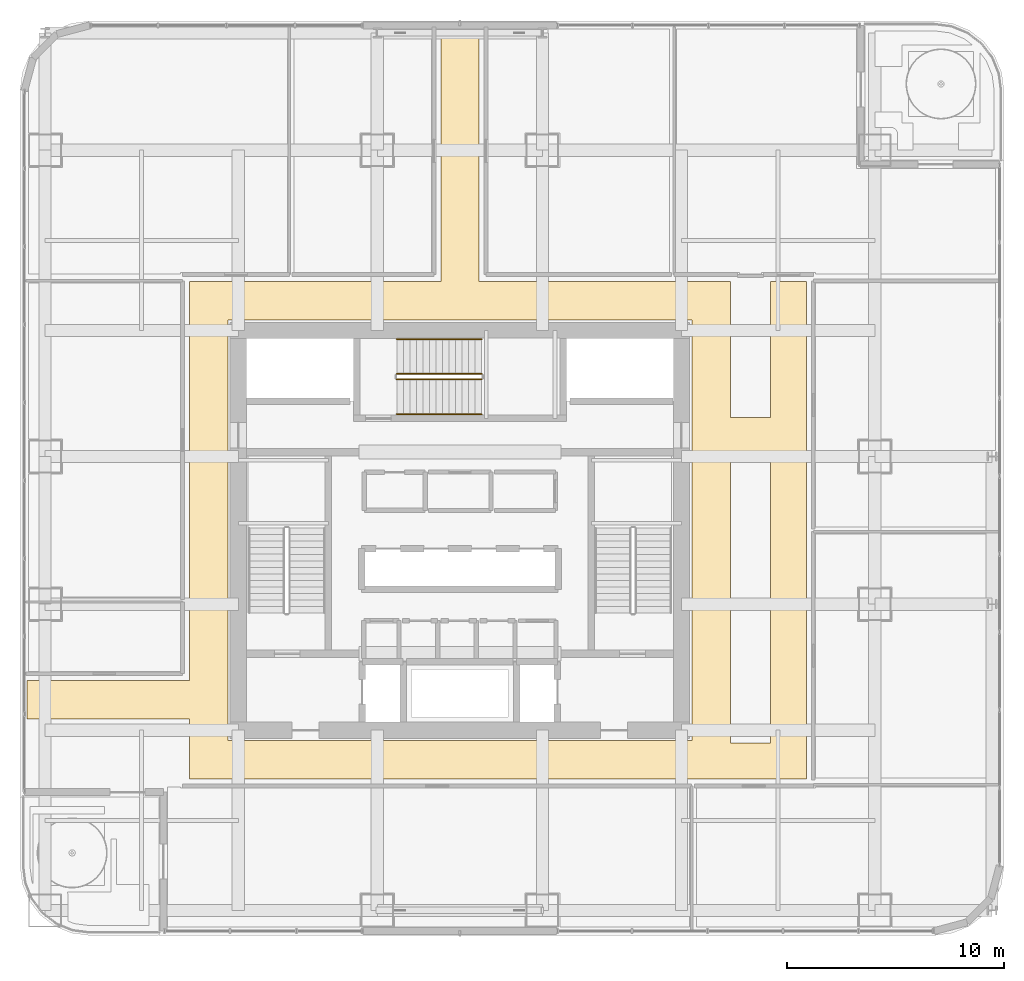
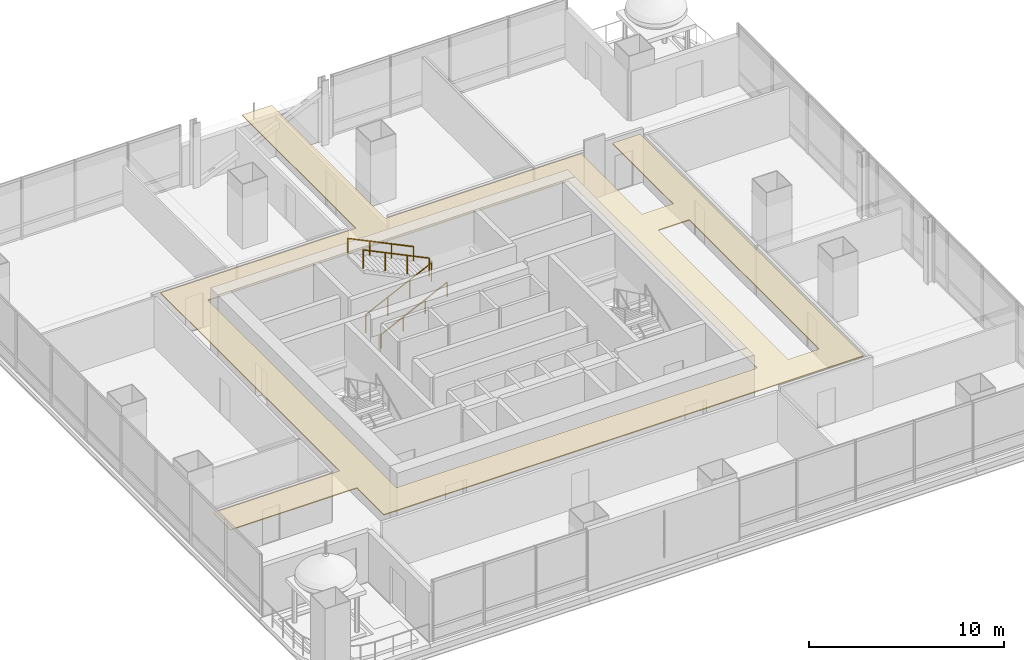
# One storey, part 33 of 37: 4 railings, 1 covering.
"""IFC4 building model written with IfcOpenShell, lengths in metres."""

import ifcopenshell
import ifcopenshell.guid

model = None  # the IFC model being written
_history = None  # IfcOwnerHistory: only IFC2X3 demands one
_inside = {}  # id of a spatial element -> (the spatial element, [elements in it])
_under = {}  # id of a project, library or spatial element -> (it, [spatial elements below it])
_declared = {}  # id of a project -> (the project, [libraries it declares])
_typed = {}  # id of a type object -> (the type object, [elements of that type])
_made_of = {}  # id of a material, layer set ... -> (it, [elements and type objects made of it])


def new_model(schema):
    """Start an empty IFC model of exactly this schema.

    Asked for "IFC4X3", IfcOpenShell would pick the latest addendum, in which some entities
    have other attributes; the version numbers below select the first issue.
    IFC2X3 requires an IfcOwnerHistory on every rooted entity: one is made here for all.
    """
    global model, _history
    if schema == "IFC4X3":
        model = ifcopenshell.file(schema_version=(4, 3, 0, 0))
    else:
        model = ifcopenshell.file(schema=schema)
    _inside.clear()
    _under.clear()
    _declared.clear()
    _typed.clear()
    _made_of.clear()
    _history = None
    if model.schema == "IFC2X3":
        org = make("IfcOrganization", Name="unknown")
        user = make(
            "IfcPersonAndOrganization",
            ThePerson=make("IfcPerson", FamilyName="unknown"),
            TheOrganization=org,
        )
        app = make(
            "IfcApplication",
            ApplicationDeveloper=org,
            Version="unknown",
            ApplicationFullName="unknown",
            ApplicationIdentifier="unknown",
        )
        _history = make(
            "IfcOwnerHistory",
            OwningUser=user,
            OwningApplication=app,
            ChangeAction="ADDED",
            CreationDate=0,
        )
    return model


def make(cls, **values):
    """One entity of the class cls with the attributes given. An attribute that is None is left unset."""
    return model.create_entity(
        cls, **{name: value for name, value in values.items() if value is not None}
    )


def rooted(cls, **values):
    """An entity with a GlobalId (a new one), such as an element, a storey or a relation."""
    return make(cls, GlobalId=ifcopenshell.guid.new(), OwnerHistory=_history, **values)


def si_unit(unit_type, name, prefix=None):
    """IfcSIUnit, for example si_unit("LENGTHUNIT", "METRE", prefix="MILLI")."""
    return make("IfcSIUnit", UnitType=unit_type, Prefix=prefix, Name=name)


def assignment(units):
    """IfcUnitAssignment: the units of a project."""
    return None if units is None else make("IfcUnitAssignment", Units=units)


def point(xyz):
    """IfcCartesianPoint."""
    return None if xyz is None else make("IfcCartesianPoint", Coordinates=xyz)


def direction(xyz):
    """IfcDirection."""
    return None if xyz is None else make("IfcDirection", DirectionRatios=xyz)


def frame(location, z_axis=None, x_axis=None):
    """IfcAxis2Placement3D, a coordinate frame: its origin and axes. An axis left out is left unset."""
    return make(
        "IfcAxis2Placement3D",
        Location=point(location),
        Axis=direction(z_axis),
        RefDirection=direction(x_axis),
    )


def frame_2d(location, x_axis=None):
    """IfcAxis2Placement2D, a coordinate frame in the plane: its origin and x axis."""
    return make(
        "IfcAxis2Placement2D", Location=point(location), RefDirection=direction(x_axis)
    )


def origin():
    """The frame at (0, 0, 0) with its axes left unset."""
    return frame((0.0, 0.0, 0.0))


def origin_2d():
    """The frame at (0, 0) in the plane with its x axis left unset."""
    return frame_2d((0.0, 0.0))


def place(relative_to, where):
    """IfcLocalPlacement: puts the frame where relative to a parent placement (None: the world)."""
    return make(
        "IfcLocalPlacement", PlacementRelTo=relative_to, RelativePlacement=where
    )


def context(
    kind, dimensions, precision=None, world=None, true_north=None, identifier=None
):
    """IfcGeometricRepresentationContext, for example the 3D "Model" context."""
    return make(
        "IfcGeometricRepresentationContext",
        ContextIdentifier=identifier,
        ContextType=kind,
        CoordinateSpaceDimension=dimensions,
        Precision=precision,
        WorldCoordinateSystem=world,
        TrueNorth=true_north,
    )


def subcontext(parent, identifier, kind, view, scale=None):
    """IfcGeometricRepresentationSubContext, for example "Body" below "Model"."""
    return make(
        "IfcGeometricRepresentationSubContext",
        ContextIdentifier=identifier,
        ContextType=kind,
        ParentContext=parent,
        TargetScale=scale,
        TargetView=view,
    )


def project(units=None, contexts=None):
    """IfcProject with its units and contexts."""
    return rooted(
        "IfcProject",
        Name="project",
        RepresentationContexts=contexts,
        UnitsInContext=assignment(units),
    )


def spatial(cls, under=None, at=None, **own):
    """A site, building, storey or space (cls), placed at a placement, below another one or the project."""
    s = rooted(cls, ObjectPlacement=at, **own)
    if under is not None:
        _under.setdefault(under.id(), (under, []))[1].append(s)
    return s


def polyline(points):
    """IfcPolyline through the points."""
    return make("IfcPolyline", Points=[point(p) for p in points])


def profile(cls, at=None, kind="AREA", **sizes):
    """A parametric profile (cls). Its sizes go by their IFC names, for example OverallWidth=200.0."""
    return make(cls, ProfileType=kind, Position=at, **sizes)


def circle(**sizes):
    """IfcCircleProfileDef."""
    return profile("IfcCircleProfileDef", **sizes)


def outline(outer, holes=None, kind="AREA"):
    """IfcArbitraryClosedProfileDef: a profile drawn as a closed curve; with holes, ...WithVoids."""
    if holes is None:
        return make("IfcArbitraryClosedProfileDef", ProfileType=kind, OuterCurve=outer)
    return make(
        "IfcArbitraryProfileDefWithVoids",
        ProfileType=kind,
        OuterCurve=outer,
        InnerCurves=holes,
    )


def extrude(swept, where, along, depth):
    """IfcExtrudedAreaSolid: the profile swept, set in the frame where, extruded along a direction by depth."""
    return make(
        "IfcExtrudedAreaSolid",
        SweptArea=swept,
        Position=where,
        ExtrudedDirection=direction(along),
        Depth=depth,
    )


def shape(context_of_items, identifier, shape_type, items):
    """IfcShapeRepresentation: the items that make up one representation, for example the "Body"."""
    return make(
        "IfcShapeRepresentation",
        ContextOfItems=context_of_items,
        RepresentationIdentifier=identifier,
        RepresentationType=shape_type,
        Items=items,
    )


def material(Name=None, Category=None):
    """IfcMaterial."""
    return make("IfcMaterial", Name=Name, Category=Category)


def layer(
    of_material, thickness, ventilated=None, Name=None, Category=None, Priority=None
):
    """IfcMaterialLayer: one layer of a wall or slab, of a material (None: an air gap)."""
    return make(
        "IfcMaterialLayer",
        Material=of_material,
        LayerThickness=thickness,
        IsVentilated=ventilated,
        Name=Name,
        Category=Category,
        Priority=Priority,
    )


def layer_set(layers, Name=None):
    """IfcMaterialLayerSet."""
    return make("IfcMaterialLayerSet", MaterialLayers=layers, LayerSetName=Name)


def made_of(thing, what):
    """Note that an element or type object is made of a material, layer set ...; save() writes the relation."""
    if what is not None:
        _made_of.setdefault(what.id(), (what, []))[1].append(thing)
    return thing


def type_object(cls, material=None, **own):
    """A type object (cls), such as IfcWallType, which elements share."""
    return made_of(rooted(cls, **own), material)


def element(
    cls,
    number,
    at=None,
    inside=None,
    cuts=None,
    type_object=None,
    material=None,
    context=None,
    identifier="Body",
    shape_type=None,
    held_by="IfcProductDefinitionShape",
    body=None,
    shapes=None,
    **own,
):
    """One element of the class cls, such as IfcWall. Its Tag is "e" and its number.

    at: its placement. inside: the storey or other place that contains it. cuts: it is an
    opening in that element (IfcRelVoidsElement). A single representation is given by context,
    identifier, shape_type and body (its items); several are given by shapes. held_by: the class
    of the entity that holds the representations. save() writes the other relations.
    """
    e = rooted(cls, Tag="e%d" % number, ObjectPlacement=at, **own)
    if body is not None:
        shapes = [shape(context, identifier, shape_type, body)]
    if shapes is not None:
        e.Representation = make(held_by, Representations=shapes)
    if inside is not None:
        _inside.setdefault(inside.id(), (inside, []))[1].append(e)
    if cuts is not None:
        rooted(
            "IfcRelVoidsElement", RelatingBuildingElement=cuts, RelatedOpeningElement=e
        )
    if type_object is not None:
        _typed.setdefault(type_object.id(), (type_object, []))[1].append(e)
    return made_of(e, material)


def aggregate(whole, parts):
    """IfcRelAggregates: a whole, such as a stair, and the parts it consists of."""
    return rooted("IfcRelAggregates", RelatingObject=whole, RelatedObjects=parts)


def save(model, path):
    """Write the relations noted so far, then the file.

    IfcRelAggregates (storeys below a building ...), IfcRelContainedInSpatialStructure (elements
    in a storey), IfcRelDefinesByType, IfcRelAssociatesMaterial and IfcRelDeclares: one each for
    every whole, place, type object, material and project.
    """
    for whole, parts in _under.values():
        aggregate(whole, parts)
    for where, things in _inside.values():
        rooted(
            "IfcRelContainedInSpatialStructure",
            RelatedElements=things,
            RelatingStructure=where,
        )
    for kind, things in _typed.values():
        rooted("IfcRelDefinesByType", RelatedObjects=things, RelatingType=kind)
    for what, things in _made_of.values():
        rooted("IfcRelAssociatesMaterial", RelatedObjects=things, RelatingMaterial=what)
    for by, libraries in _declared.values():
        rooted("IfcRelDeclares", RelatingContext=by, RelatedDefinitions=libraries)
    model.write(path)


model = new_model("IFC4")

# Units and contexts
model_context = context("Model", 3, precision=1e-05, world=origin(), true_north=direction((0.0, 1.0)))
body_context = subcontext(model_context, "Body", "Model", "MODEL_VIEW")
ifc_project = project(units=[si_unit("LENGTHUNIT", "METRE"), si_unit("AREAUNIT", "SQUARE_METRE"), si_unit("VOLUMEUNIT", "CUBIC_METRE"), si_unit("PLANEANGLEUNIT", "RADIAN"), si_unit("MASSUNIT", "GRAM", prefix="KILO")], contexts=[model_context])

# Site, building, storey
site_placement = place(None, origin())
site = spatial("IfcSite", under=ifc_project, at=site_placement, CompositionType="ELEMENT")
building_placement = place(site_placement, origin())
building = spatial("IfcBuilding", under=site, at=building_placement, Name="Punatoya Terracotta Tower", CompositionType="ELEMENT")
storey_placement = place(building_placement, frame((0.0, 0.0, 109.199951171875)))
storey = spatial("IfcBuildingStorey", under=building, at=storey_placement, Name="L25", CompositionType="ELEMENT", Elevation=109.199951171875)

# Covering
ifc_material_1 = material(Name="Acoustic Mineral Fibre Ceiling")
ifc_layer = layer(ifc_material_1, 0.06005859375)
ifc_layer_set = layer_set([ifc_layer], Name="Acoustic Mineral Fibre Ceiling")
covering_type = type_object("IfcCoveringType", Name="COV-CEIL-60", PredefinedType="CEILING", material=ifc_layer_set)
covering_placement = place(storey_placement, frame((0.0, 0.0, 3.199951171875)))
element("IfcCovering", 1, at=covering_placement, inside=storey, type_object=covering_type, Name="L25 Ring Circulation Corridor Acoustic Ceiling", PredefinedType="CEILING", context=body_context, shape_type="SweptSolid", body=[
    extrude(outline(polyline([(-19.929931640625, -8.679931640625), (-12.449951171875, -8.679931640625), (-12.449951171875, -11.449951171875), (15.949951171875, -11.449951171875), (15.949951171875, 11.449951171875), (14.300048828125, 11.449951171875), (14.300048828125, 5.199951171875), (12.449951171875, 5.199951171875), (12.449951171875, 11.449951171875), (0.8798828125, 11.449951171875), (0.8798828125, 23.1298828125), (-0.8798828125, 23.1298828125), (-0.8798828125, 11.449951171875), (-12.449951171875, 11.449951171875), (-12.449951171875, -6.919921875), (-19.929931640625, -6.919921875), (-19.929931640625, -8.679931640625)]), holes=[polyline([(12.449951171875, 3.550048828125), (14.300048828125, 3.550048828125), (14.300048828125, -9.800048828125), (12.449951171875, -9.800048828125), (12.449951171875, 3.550048828125)]), polyline([(-10.679931640625, -9.679931640625), (-10.679931640625, 9.679931640625), (10.679931640625, 9.679931640625), (10.679931640625, -9.679931640625), (-10.679931640625, -9.679931640625)])]), origin(), (0.0, 0.0, 1.0), 0.06005859375),
])

# Railings
ifc_material_2 = material(Name="Steel S355", Category="steel")
railing_type_1 = type_object("IfcRailingType", Name="RLG-GRD-1150", PredefinedType="GUARDRAIL", material=ifc_material_2)
railing_1_placement = place(storey_placement, frame((-2.89990234375, 6.949951171875, 0.144775390625)))
element("IfcRailing", 2, at=railing_1_placement, inside=storey, type_object=railing_type_1, Name="L25 ST-3 stair guard 1", PredefinedType="GUARDRAIL", context=body_context, shape_type="SweptSolid", body=[
    extrude(circle(Radius=0.02392578125, at=origin_2d()), frame((0.0, 0.0, 1.1259765625), z_axis=(0.900763166376, 0.0, 0.434310623978), x_axis=(0.0, 1.0, 0.0)), (0.0, 0.0, 1.0), 4.32958984375),
    extrude(circle(Radius=0.02099609375, at=origin_2d()), origin(), (0.0, 0.0, 1.0), 1.101806640625),
    extrude(circle(Radius=0.02099609375, at=origin_2d()), frame((1.300048828125, 0.0, 0.626708984375)), (0.0, 0.0, 1.0), 1.101806640625),
    extrude(circle(Radius=0.02099609375, at=origin_2d()), frame((2.599853515625, 0.0, 1.253662109375)), (0.0, 0.0, 1.0), 1.101806640625),
    extrude(circle(Radius=0.02099609375, at=origin_2d()), frame((3.89990234375, 0.0, 1.88037109375)), (0.0, 0.0, 1.0), 1.101806640625),
])
railing_2_placement = place(storey_placement, frame((1.0, 7.199951171875, 2.169677734375)))
element("IfcRailing", 3, at=railing_2_placement, inside=storey, type_object=railing_type_1, Name="L25 ST-3 stair guard 3", PredefinedType="GUARDRAIL", context=body_context, shape_type="SweptSolid", body=[
    extrude(circle(Radius=0.02392578125, at=origin_2d()), frame((0.0, 0.0, 1.1259765625), z_axis=(-0.900763166376, 0.0, 0.434310623978), x_axis=(0.0, -1.0, 0.0)), (0.0, 0.0, 1.0), 4.32958984375),
    extrude(circle(Radius=0.02099609375, at=origin_2d()), origin(), (0.0, 0.0, 1.0), 1.101806640625),
    extrude(circle(Radius=0.02099609375, at=origin_2d()), frame((-1.300048828125, 0.0, 0.626708984375)), (0.0, 0.0, 1.0), 1.101806640625),
    extrude(circle(Radius=0.02099609375, at=origin_2d()), frame((-2.599853515625, 0.0, 1.253662109375)), (0.0, 0.0, 1.0), 1.101806640625),
    extrude(circle(Radius=0.02099609375, at=origin_2d()), frame((-3.89990234375, 0.0, 1.88037109375)), (0.0, 0.0, 1.0), 1.101806640625),
])
railing_type_2 = type_object("IfcRailingType", Name="RLG-HND-900", PredefinedType="HANDRAIL", material=ifc_material_2)
railing_3_placement = place(storey_placement, frame((-2.89990234375, 5.35009765625, 0.144775390625)))
element("IfcRailing", 4, at=railing_3_placement, inside=storey, type_object=railing_type_2, Name="L25 ST-3 stair handrail 1", PredefinedType="HANDRAIL", context=body_context, shape_type="SweptSolid", body=[
    extrude(circle(Radius=0.02392578125, at=origin_2d()), frame((0.0, 0.0, 0.8759765625), z_axis=(0.900763166376, 0.0, 0.434310623978), x_axis=(0.0, 1.0, 0.0)), (0.0, 0.0, 1.0), 4.32958984375),
    extrude(circle(Radius=0.02099609375, at=origin_2d()), origin(), (0.0, 0.0, 1.0), 0.851806640625),
    extrude(circle(Radius=0.02099609375, at=origin_2d()), frame((1.300048828125, 0.0, 0.626708984375)), (0.0, 0.0, 1.0), 0.851806640625),
    extrude(circle(Radius=0.02099609375, at=origin_2d()), frame((2.599853515625, 0.0, 1.253662109375)), (0.0, 0.0, 1.0), 0.851806640625),
    extrude(circle(Radius=0.02099609375, at=origin_2d()), frame((3.89990234375, 0.0, 1.88037109375)), (0.0, 0.0, 1.0), 0.851806640625),
])
railing_4_placement = place(storey_placement, frame((1.0, 8.800048828125, 2.169677734375)))
element("IfcRailing", 5, at=railing_4_placement, inside=storey, type_object=railing_type_2, Name="L25 ST-3 stair handrail 2", PredefinedType="HANDRAIL", context=body_context, shape_type="SweptSolid", body=[
    extrude(circle(Radius=0.02392578125, at=origin_2d()), frame((0.0, 0.0, 0.8759765625), z_axis=(-0.900763166376, 0.0, 0.434310623978), x_axis=(0.0, -1.0, 0.0)), (0.0, 0.0, 1.0), 4.32958984375),
    extrude(circle(Radius=0.02099609375, at=origin_2d()), origin(), (0.0, 0.0, 1.0), 0.851806640625),
    extrude(circle(Radius=0.02099609375, at=origin_2d()), frame((-1.300048828125, 0.0, 0.626708984375)), (0.0, 0.0, 1.0), 0.851806640625),
    extrude(circle(Radius=0.02099609375, at=origin_2d()), frame((-2.599853515625, 0.0, 1.253662109375)), (0.0, 0.0, 1.0), 0.851806640625),
    extrude(circle(Radius=0.02099609375, at=origin_2d()), frame((-3.89990234375, 0.0, 1.88037109375)), (0.0, 0.0, 1.0), 0.851806640625),
])

save(model, "model.ifc")
